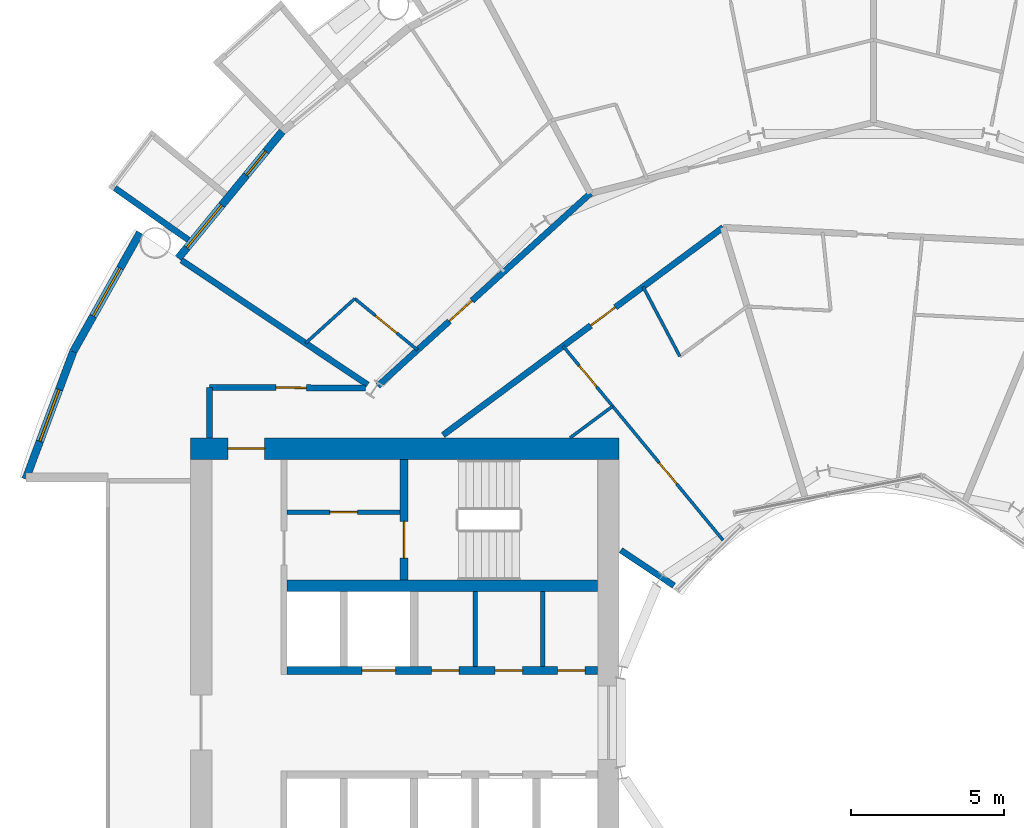
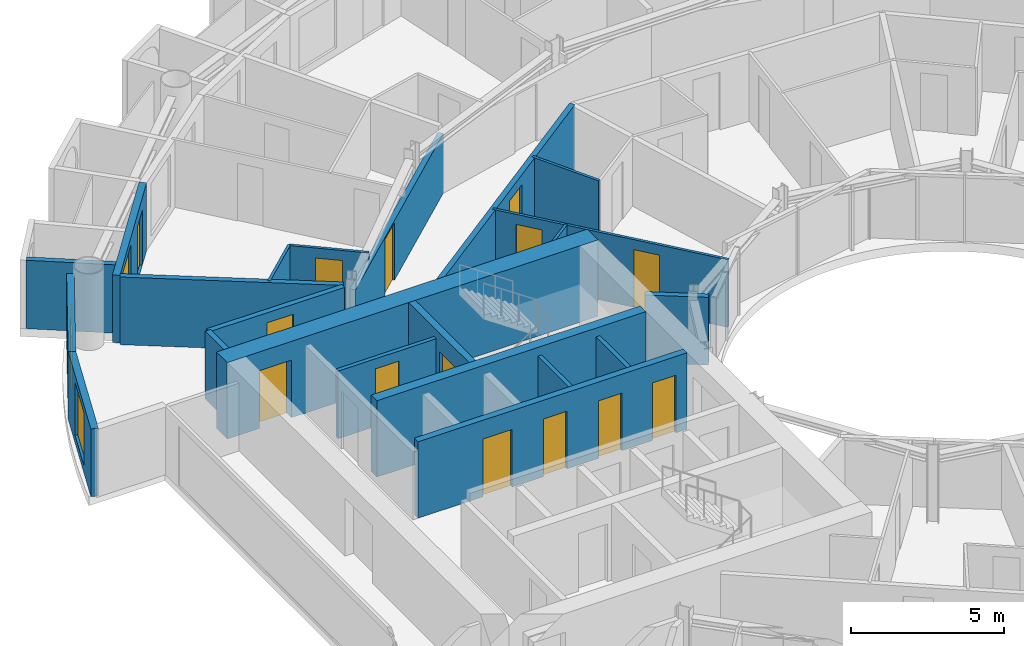
# One storey, part 18 of 26: 22 walls, 14 doors, 3 windows, 17 openings.
"""IFC4 building model written with IfcOpenShell, lengths in metres."""

import ifcopenshell
import ifcopenshell.guid

model = None  # the IFC model being written
_history = None  # IfcOwnerHistory: only IFC2X3 demands one
_inside = {}  # id of a spatial element -> (the spatial element, [elements in it])
_under = {}  # id of a project, library or spatial element -> (it, [spatial elements below it])
_declared = {}  # id of a project -> (the project, [libraries it declares])
_typed = {}  # id of a type object -> (the type object, [elements of that type])
_made_of = {}  # id of a material, layer set ... -> (it, [elements and type objects made of it])


def new_model(schema):
    """Start an empty IFC model of exactly this schema.

    Asked for "IFC4X3", IfcOpenShell would pick the latest addendum, in which some entities
    have other attributes; the version numbers below select the first issue.
    IFC2X3 requires an IfcOwnerHistory on every rooted entity: one is made here for all.
    """
    global model, _history
    if schema == "IFC4X3":
        model = ifcopenshell.file(schema_version=(4, 3, 0, 0))
    else:
        model = ifcopenshell.file(schema=schema)
    _inside.clear()
    _under.clear()
    _declared.clear()
    _typed.clear()
    _made_of.clear()
    _history = None
    if model.schema == "IFC2X3":
        org = make("IfcOrganization", Name="unknown")
        user = make(
            "IfcPersonAndOrganization",
            ThePerson=make("IfcPerson", FamilyName="unknown"),
            TheOrganization=org,
        )
        app = make(
            "IfcApplication",
            ApplicationDeveloper=org,
            Version="unknown",
            ApplicationFullName="unknown",
            ApplicationIdentifier="unknown",
        )
        _history = make(
            "IfcOwnerHistory",
            OwningUser=user,
            OwningApplication=app,
            ChangeAction="ADDED",
            CreationDate=0,
        )
    return model


def make(cls, **values):
    """One entity of the class cls with the attributes given. An attribute that is None is left unset."""
    return model.create_entity(
        cls, **{name: value for name, value in values.items() if value is not None}
    )


def rooted(cls, **values):
    """An entity with a GlobalId (a new one), such as an element, a storey or a relation."""
    return make(cls, GlobalId=ifcopenshell.guid.new(), OwnerHistory=_history, **values)


def si_unit(unit_type, name, prefix=None):
    """IfcSIUnit, for example si_unit("LENGTHUNIT", "METRE", prefix="MILLI")."""
    return make("IfcSIUnit", UnitType=unit_type, Prefix=prefix, Name=name)


def assignment(units):
    """IfcUnitAssignment: the units of a project."""
    return None if units is None else make("IfcUnitAssignment", Units=units)


def point(xyz):
    """IfcCartesianPoint."""
    return None if xyz is None else make("IfcCartesianPoint", Coordinates=xyz)


def direction(xyz):
    """IfcDirection."""
    return None if xyz is None else make("IfcDirection", DirectionRatios=xyz)


def frame(location, z_axis=None, x_axis=None):
    """IfcAxis2Placement3D, a coordinate frame: its origin and axes. An axis left out is left unset."""
    return make(
        "IfcAxis2Placement3D",
        Location=point(location),
        Axis=direction(z_axis),
        RefDirection=direction(x_axis),
    )


def frame_2d(location, x_axis=None):
    """IfcAxis2Placement2D, a coordinate frame in the plane: its origin and x axis."""
    return make(
        "IfcAxis2Placement2D", Location=point(location), RefDirection=direction(x_axis)
    )


def origin():
    """The frame at (0, 0, 0) with its axes left unset."""
    return frame((0.0, 0.0, 0.0))


def place(relative_to, where):
    """IfcLocalPlacement: puts the frame where relative to a parent placement (None: the world)."""
    return make(
        "IfcLocalPlacement", PlacementRelTo=relative_to, RelativePlacement=where
    )


def context(
    kind, dimensions, precision=None, world=None, true_north=None, identifier=None
):
    """IfcGeometricRepresentationContext, for example the 3D "Model" context."""
    return make(
        "IfcGeometricRepresentationContext",
        ContextIdentifier=identifier,
        ContextType=kind,
        CoordinateSpaceDimension=dimensions,
        Precision=precision,
        WorldCoordinateSystem=world,
        TrueNorth=true_north,
    )


def subcontext(parent, identifier, kind, view, scale=None):
    """IfcGeometricRepresentationSubContext, for example "Body" below "Model"."""
    return make(
        "IfcGeometricRepresentationSubContext",
        ContextIdentifier=identifier,
        ContextType=kind,
        ParentContext=parent,
        TargetScale=scale,
        TargetView=view,
    )


def project(units=None, contexts=None):
    """IfcProject with its units and contexts."""
    return rooted(
        "IfcProject",
        Name="project",
        RepresentationContexts=contexts,
        UnitsInContext=assignment(units),
    )


def spatial(cls, under=None, at=None, **own):
    """A site, building, storey or space (cls), placed at a placement, below another one or the project."""
    s = rooted(cls, ObjectPlacement=at, **own)
    if under is not None:
        _under.setdefault(under.id(), (under, []))[1].append(s)
    return s


def profile(cls, at=None, kind="AREA", **sizes):
    """A parametric profile (cls). Its sizes go by their IFC names, for example OverallWidth=200.0."""
    return make(cls, ProfileType=kind, Position=at, **sizes)


def rectangle(**sizes):
    """IfcRectangleProfileDef."""
    return profile("IfcRectangleProfileDef", **sizes)


def extrude(swept, where, along, depth):
    """IfcExtrudedAreaSolid: the profile swept, set in the frame where, extruded along a direction by depth."""
    return make(
        "IfcExtrudedAreaSolid",
        SweptArea=swept,
        Position=where,
        ExtrudedDirection=direction(along),
        Depth=depth,
    )


def shape(context_of_items, identifier, shape_type, items):
    """IfcShapeRepresentation: the items that make up one representation, for example the "Body"."""
    return make(
        "IfcShapeRepresentation",
        ContextOfItems=context_of_items,
        RepresentationIdentifier=identifier,
        RepresentationType=shape_type,
        Items=items,
    )


def material(Name=None, Category=None):
    """IfcMaterial."""
    return make("IfcMaterial", Name=Name, Category=Category)


def layer(
    of_material, thickness, ventilated=None, Name=None, Category=None, Priority=None
):
    """IfcMaterialLayer: one layer of a wall or slab, of a material (None: an air gap)."""
    return make(
        "IfcMaterialLayer",
        Material=of_material,
        LayerThickness=thickness,
        IsVentilated=ventilated,
        Name=Name,
        Category=Category,
        Priority=Priority,
    )


def layer_set(layers, Name=None):
    """IfcMaterialLayerSet."""
    return make("IfcMaterialLayerSet", MaterialLayers=layers, LayerSetName=Name)


def made_of(thing, what):
    """Note that an element or type object is made of a material, layer set ...; save() writes the relation."""
    if what is not None:
        _made_of.setdefault(what.id(), (what, []))[1].append(thing)
    return thing


def type_object(cls, material=None, **own):
    """A type object (cls), such as IfcWallType, which elements share."""
    return made_of(rooted(cls, **own), material)


def element(
    cls,
    number,
    at=None,
    inside=None,
    cuts=None,
    type_object=None,
    material=None,
    context=None,
    identifier="Body",
    shape_type=None,
    held_by="IfcProductDefinitionShape",
    body=None,
    shapes=None,
    **own,
):
    """One element of the class cls, such as IfcWall. Its Tag is "e" and its number.

    at: its placement. inside: the storey or other place that contains it. cuts: it is an
    opening in that element (IfcRelVoidsElement). A single representation is given by context,
    identifier, shape_type and body (its items); several are given by shapes. held_by: the class
    of the entity that holds the representations. save() writes the other relations.
    """
    e = rooted(cls, Tag="e%d" % number, ObjectPlacement=at, **own)
    if body is not None:
        shapes = [shape(context, identifier, shape_type, body)]
    if shapes is not None:
        e.Representation = make(held_by, Representations=shapes)
    if inside is not None:
        _inside.setdefault(inside.id(), (inside, []))[1].append(e)
    if cuts is not None:
        rooted(
            "IfcRelVoidsElement", RelatingBuildingElement=cuts, RelatedOpeningElement=e
        )
    if type_object is not None:
        _typed.setdefault(type_object.id(), (type_object, []))[1].append(e)
    return made_of(e, material)


def fill(opening, filler):
    """IfcRelFillsElement: the door or window that sits in an opening."""
    return rooted(
        "IfcRelFillsElement",
        RelatingOpeningElement=opening,
        RelatedBuildingElement=filler,
    )


def aggregate(whole, parts):
    """IfcRelAggregates: a whole, such as a stair, and the parts it consists of."""
    return rooted("IfcRelAggregates", RelatingObject=whole, RelatedObjects=parts)


def save(model, path):
    """Write the relations noted so far, then the file.

    IfcRelAggregates (storeys below a building ...), IfcRelContainedInSpatialStructure (elements
    in a storey), IfcRelDefinesByType, IfcRelAssociatesMaterial and IfcRelDeclares: one each for
    every whole, place, type object, material and project.
    """
    for whole, parts in _under.values():
        aggregate(whole, parts)
    for where, things in _inside.values():
        rooted(
            "IfcRelContainedInSpatialStructure",
            RelatedElements=things,
            RelatingStructure=where,
        )
    for kind, things in _typed.values():
        rooted("IfcRelDefinesByType", RelatedObjects=things, RelatingType=kind)
    for what, things in _made_of.values():
        rooted("IfcRelAssociatesMaterial", RelatedObjects=things, RelatingMaterial=what)
    for by, libraries in _declared.values():
        rooted("IfcRelDeclares", RelatingContext=by, RelatedDefinitions=libraries)
    model.write(path)


model = new_model("IFC4")

# Units and contexts
model_context = context("Model", 3, precision=1e-05, world=origin(), true_north=direction((0.0, 1.0)))
body_context = subcontext(model_context, "Body", "Model", "MODEL_VIEW")
ifc_project = project(units=[si_unit("LENGTHUNIT", "METRE"), si_unit("AREAUNIT", "SQUARE_METRE"), si_unit("VOLUMEUNIT", "CUBIC_METRE"), si_unit("PLANEANGLEUNIT", "RADIAN"), si_unit("MASSUNIT", "GRAM", prefix="KILO")], contexts=[model_context])

# Site, building, storey
site_placement = place(None, origin())
site = spatial("IfcSite", under=ifc_project, at=site_placement, CompositionType="ELEMENT")
building_placement = place(site_placement, origin())
building = spatial("IfcBuilding", under=site, at=building_placement, Name="Maasbend Ring Residences", CompositionType="ELEMENT")
storey_placement = place(building_placement, frame((0.0, 0.0, 84.949951171875)))
storey = spatial("IfcBuildingStorey", under=building, at=storey_placement, Name="L24", CompositionType="ELEMENT", Elevation=84.949951171875)

# Wall, openings, doors
ifc_material_1 = material(Name="Concrete C70/85", Category="concrete")
ifc_layer_1 = layer(ifc_material_1, 0.25)
ifc_layer_set_1 = layer_set([ifc_layer_1], Name="Concrete C70/85")
wall_type_1 = type_object("IfcWallType", Name="CORE WALL 250 C70/85", PredefinedType="SHEAR", material=ifc_layer_set_1)
wall_1_placement = place(storey_placement, frame((-19.14990234375, 1.699951171875, 0.0), z_axis=(0.0, 0.0, 1.0), x_axis=(1.0, 0.0, 0.0)))
wall_1 = element("IfcWall", 1, at=wall_1_placement, inside=storey, type_object=wall_type_1, Name="L24 core W wall SPS", PredefinedType="SHEAR", context=body_context, shape_type="SweptSolid", body=[
    extrude(rectangle(XDim=10.14990234375, YDim=0.25, at=frame_2d((5.074951171875, 0.0))), origin(), (0.0, 0.0, 1.0), 3.050048828125),
])
opening_1_placement = place(wall_1_placement, frame((2.449951171875, 0.0, 0.0)))
opening_1 = element("IfcOpeningElement", 2, at=opening_1_placement, cuts=wall_1, Name="Opening LD-W2405", PredefinedType="OPENING", context=body_context, shape_type="SweptSolid", body=[
    extrude(rectangle(XDim=1.10009765625, YDim=2.300048828125, at=frame_2d((0.550048828125, 1.14990234375))), frame((0.0, 0.135009765625, 0.0), z_axis=(0.0, -1.0, 0.0), x_axis=(1.0, 0.0, 0.0)), (0.0, 0.0, 1.0), 0.27001953125),
])
opening_2_placement = place(wall_1_placement, frame((8.83740234375, 0.0, 0.0)))
opening_2 = element("IfcOpeningElement", 3, at=opening_2_placement, cuts=wall_1, Name="Opening D-W2406", PredefinedType="OPENING", context=body_context, shape_type="SweptSolid", body=[
    extrude(rectangle(XDim=0.89990234375, YDim=2.300048828125, at=frame_2d((0.449951171875, 1.14990234375))), frame((0.0, 0.135009765625, 0.0), z_axis=(0.0, -1.0, 0.0), x_axis=(1.0, 0.0, 0.0)), (0.0, 0.0, 1.0), 0.27001953125),
])
opening_3_placement = place(wall_1_placement, frame((6.800048828125, 0.0, 0.0)))
opening_3 = element("IfcOpeningElement", 4, at=opening_3_placement, cuts=wall_1, Name="Opening D-W2407", PredefinedType="OPENING", context=body_context, shape_type="SweptSolid", body=[
    extrude(rectangle(XDim=0.89990234375, YDim=2.300048828125, at=frame_2d((0.449951171875, 1.14990234375))), frame((0.0, 0.135009765625, 0.0), z_axis=(0.0, -1.0, 0.0), x_axis=(1.0, 0.0, 0.0)), (0.0, 0.0, 1.0), 0.27001953125),
])
opening_4_placement = place(wall_1_placement, frame((4.72509765625, 0.0, 0.0)))
opening_4 = element("IfcOpeningElement", 5, at=opening_4_placement, cuts=wall_1, Name="Opening D-W2408", PredefinedType="OPENING", context=body_context, shape_type="SweptSolid", body=[
    extrude(rectangle(XDim=0.89990234375, YDim=2.300048828125, at=frame_2d((0.449951171875, 1.14990234375))), frame((0.0, 0.135009765625, 0.0), z_axis=(0.0, -1.0, 0.0), x_axis=(1.0, 0.0, 0.0)), (0.0, 0.0, 1.0), 0.27001953125),
])
ifc_material_2 = material(Name="Stainless steel 316", Category="steel")
door_type_1 = type_object("IfcDoorType", Name="LANDING DOOR 1100 X 2300 FD60", OperationType="DOUBLE_DOOR_SLIDING", PredefinedType="DOOR", material=ifc_material_2)
door_1_placement = place(opening_1_placement, origin())
door_1 = element("IfcDoor", 6, at=door_1_placement, inside=storey, type_object=door_type_1, Name="Landing door SV-W L24", OperationType="DOUBLE_DOOR_SLIDING", OverallHeight=2.300048828125, OverallWidth=1.10009765625, PredefinedType="DOOR", context=body_context, shape_type="SweptSolid", body=[
    extrude(rectangle(XDim=1.10009765625, YDim=2.300048828125, at=frame_2d((0.550048828125, 1.14990234375))), frame((0.0, 0.02490234375, 0.0), z_axis=(0.0, -1.0, 0.0), x_axis=(1.0, 0.0, 0.0)), (0.0, 0.0, 1.0), 0.050048828125),
])
fill(opening_1, door_1)
ifc_material_3 = material(Name="Steel, powder coated", Category="steel")
door_type_2 = type_object("IfcDoorType", Name="ROOM DOOR 900 X 2300 FD30S", OperationType="NOTDEFINED", PredefinedType="DOOR", material=ifc_material_3)
door_2_placement = place(opening_2_placement, origin())
door_2 = element("IfcDoor", 7, at=door_2_placement, inside=storey, type_object=door_type_2, Name="Room door L24", OperationType="SINGLE_SWING_LEFT", OverallHeight=2.300048828125, OverallWidth=0.89990234375, PredefinedType="DOOR", context=body_context, shape_type="SweptSolid", body=[
    extrude(rectangle(XDim=0.89990234375, YDim=2.300048828125, at=frame_2d((0.449951171875, 1.14990234375))), frame((0.0, 0.02490234375, 0.0), z_axis=(0.0, -1.0, 0.0), x_axis=(1.0, 0.0, 0.0)), (0.0, 0.0, 1.0), 0.050048828125),
])
fill(opening_2, door_2)
door_3_placement = place(opening_3_placement, origin())
door_3 = element("IfcDoor", 8, at=door_3_placement, inside=storey, type_object=door_type_2, Name="Room door L24", OperationType="SINGLE_SWING_LEFT", OverallHeight=2.300048828125, OverallWidth=0.89990234375, PredefinedType="DOOR", context=body_context, shape_type="SweptSolid", body=[
    extrude(rectangle(XDim=0.89990234375, YDim=2.300048828125, at=frame_2d((0.449951171875, 1.14990234375))), frame((0.0, 0.02490234375, 0.0), z_axis=(0.0, -1.0, 0.0), x_axis=(1.0, 0.0, 0.0)), (0.0, 0.0, 1.0), 0.050048828125),
])
fill(opening_3, door_3)
door_4_placement = place(opening_4_placement, origin())
door_4 = element("IfcDoor", 9, at=door_4_placement, inside=storey, type_object=door_type_2, Name="Room door L24", OperationType="SINGLE_SWING_LEFT", OverallHeight=2.300048828125, OverallWidth=0.89990234375, PredefinedType="DOOR", context=body_context, shape_type="SweptSolid", body=[
    extrude(rectangle(XDim=0.89990234375, YDim=2.300048828125, at=frame_2d((0.449951171875, 1.14990234375))), frame((0.0, 0.02490234375, 0.0), z_axis=(0.0, -1.0, 0.0), x_axis=(1.0, 0.0, 0.0)), (0.0, 0.0, 1.0), 0.050048828125),
])
fill(opening_4, door_4)

# Wall, opening, door
wall_2_placement = place(storey_placement, frame((-15.324951171875, 8.60009765625, 0.0), z_axis=(0.0, 0.0, 1.0), x_axis=(0.0, -1.0, 0.0)))
wall_2 = element("IfcWall", 10, at=wall_2_placement, inside=storey, type_object=wall_type_1, Name="L24 core W wall STES", PredefinedType="SHEAR", context=body_context, shape_type="SweptSolid", body=[
    extrude(rectangle(XDim=3.9501953125, YDim=0.25, at=frame_2d((1.97509765625, 0.0))), origin(), (0.0, 0.0, 1.0), 3.050048828125),
])
opening_5_placement = place(wall_2_placement, frame((2.02490234375, 0.0, 0.0)))
opening_5 = element("IfcOpeningElement", 11, at=opening_5_placement, cuts=wall_2, Name="Opening D-W2411", PredefinedType="OPENING", context=body_context, shape_type="SweptSolid", body=[
    extrude(rectangle(XDim=1.199951171875, YDim=2.300048828125, at=frame_2d((0.60009765625, 1.14990234375))), frame((0.0, 0.135009765625, 0.0), z_axis=(0.0, -1.0, 0.0), x_axis=(1.0, 0.0, 0.0)), (0.0, 0.0, 1.0), 0.27001953125),
])
ifc_material_4 = material(Name="Steel, powder coated", Category="steel")
door_type_3 = type_object("IfcDoorType", Name="STAIR DOOR 1200 X 2300 FD60", OperationType="NOTDEFINED", PredefinedType="DOOR", material=ifc_material_4)
door_5_placement = place(opening_5_placement, origin())
door_5 = element("IfcDoor", 12, at=door_5_placement, inside=storey, type_object=door_type_3, Name="Stair door ST-W L24", OperationType="SINGLE_SWING_LEFT", OverallHeight=2.300048828125, OverallWidth=1.199951171875, PredefinedType="DOOR", context=body_context, shape_type="SweptSolid", body=[
    extrude(rectangle(XDim=1.199951171875, YDim=2.300048828125, at=frame_2d((0.60009765625, 1.14990234375))), frame((0.0, 0.02490234375, 0.0), z_axis=(0.0, -1.0, 0.0), x_axis=(1.0, 0.0, 0.0)), (0.0, 0.0, 1.0), 0.050048828125),
])
fill(opening_5, door_5)

# Wall
ifc_material_5 = material(Name="Concrete C70/85", Category="concrete")
ifc_layer_2 = layer(ifc_material_5, 0.375)
ifc_layer_set_2 = layer_set([ifc_layer_2], Name="Concrete C70/85")
wall_type_2 = type_object("IfcWallType", Name="CORE WALL 375 C70/85", PredefinedType="SHEAR", material=ifc_layer_set_2)
wall_3_placement = place(storey_placement, frame((-9.0, 4.46240234375, 0.0), z_axis=(0.0, 0.0, 1.0), x_axis=(-1.0, 0.0, 0.0)))
element("IfcWall", 13, at=wall_3_placement, inside=storey, type_object=wall_type_2, Name="L24 core W wall BS", PredefinedType="SHEAR", context=body_context, shape_type="SweptSolid", body=[
    extrude(rectangle(XDim=10.14990234375, YDim=0.375, at=frame_2d((5.074951171875, 0.0))), origin(), (0.0, 0.0, 1.0), 3.050048828125),
])

# Wall, opening, door
ifc_material_6 = material(Name="Concrete C70/85", Category="concrete")
ifc_layer_3 = layer(ifc_material_6, 0.699951171875)
ifc_layer_set_3 = layer_set([ifc_layer_3], Name="Concrete C70/85")
wall_type_3 = type_object("IfcWallType", Name="CORE WALL 700 C70/85", PredefinedType="SHEAR", material=ifc_layer_set_3)
wall_4_placement = place(storey_placement, frame((-8.300048828125, 8.949951171875, 0.0), z_axis=(0.0, 0.0, 1.0), x_axis=(-1.0, 0.0, 0.0)))
wall_4 = element("IfcWall", 14, at=wall_4_placement, inside=storey, type_object=wall_type_3, Name="L24 core W wall PS", PredefinedType="SHEAR", context=body_context, shape_type="SweptSolid", body=[
    extrude(rectangle(XDim=14.0, YDim=0.699951171875, at=frame_2d((7.0, 0.0))), origin(), (0.0, 0.0, 1.0), 3.050048828125),
])
opening_6_placement = place(wall_4_placement, frame((11.574951171875, 0.0, 0.0)))
opening_6 = element("IfcOpeningElement", 15, at=opening_6_placement, cuts=wall_4, Name="Opening D-W2415", PredefinedType="OPENING", context=body_context, shape_type="SweptSolid", body=[
    extrude(rectangle(XDim=1.199951171875, YDim=2.300048828125, at=frame_2d((0.60009765625, 1.14990234375))), frame((0.0, 0.35986328125, 0.0), z_axis=(0.0, -1.0, 0.0), x_axis=(1.0, 0.0, 0.0)), (0.0, 0.0, 1.0), 0.719970703125),
])
ifc_material_7 = material(Name="Steel, powder coated", Category="steel")
door_type_4 = type_object("IfcDoorType", Name="CORRIDOR DOOR 1200 X 2300 FD30S", OperationType="NOTDEFINED", PredefinedType="DOOR", material=ifc_material_7)
door_6_placement = place(opening_6_placement, origin())
door_6 = element("IfcDoor", 16, at=door_6_placement, inside=storey, type_object=door_type_4, Name="Corridor door L24", OperationType="SINGLE_SWING_LEFT", OverallHeight=2.300048828125, OverallWidth=1.199951171875, PredefinedType="DOOR", context=body_context, shape_type="SweptSolid", body=[
    extrude(rectangle(XDim=1.199951171875, YDim=2.300048828125, at=frame_2d((0.60009765625, 1.14990234375))), frame((0.0, 0.02490234375, 0.0), z_axis=(0.0, -1.0, 0.0), x_axis=(1.0, 0.0, 0.0)), (0.0, 0.0, 1.0), 0.050048828125),
])
fill(opening_6, door_6)

ifc_material_8 = material(Name="Concrete C30/37", Category="concrete")
ifc_layer_4 = layer(ifc_material_8, 0.199951171875)
ifc_layer_set_4 = layer_set([ifc_layer_4], Name="Concrete C30/37")
wall_type_4 = type_object("IfcWallType", Name="CORRIDOR WALL 200 CONCRETE", PredefinedType="PARTITIONING", material=ifc_layer_set_4)
wall_5_placement = place(storey_placement, frame((-21.675048828125, 10.949951171875, 0.0), z_axis=(0.0, 0.0, 1.0), x_axis=(0.999988019025, -0.004895079807, 0.0)))
wall_5 = element("IfcWall", 17, at=wall_5_placement, inside=storey, type_object=wall_type_4, Name="U-L24-w084", PredefinedType="PARTITIONING", context=body_context, shape_type="SweptSolid", body=[
    extrude(rectangle(XDim=5.087158203125, YDim=0.199951171875, at=frame_2d((2.54345703125, 0.0))), origin(), (0.0, 0.0, 1.0), 2.699951171875),
])
opening_7_placement = place(wall_5_placement, frame((2.1630859375, 0.0, 0.0)))
opening_7 = element("IfcOpeningElement", 18, at=opening_7_placement, cuts=wall_5, Name="Opening D-2466", PredefinedType="OPENING", context=body_context, shape_type="SweptSolid", body=[
    extrude(rectangle(XDim=1.0, YDim=2.300048828125, at=frame_2d((0.5, 1.14990234375))), frame((0.0, 0.10986328125, 0.0), z_axis=(0.0, -1.0, 0.0), x_axis=(1.0, 0.0, 0.0)), (0.0, 0.0, 1.0), 0.219970703125),
])
ifc_material_9 = material(Name="Timber, painted", Category="wood")
door_type_5 = type_object("IfcDoorType", Name="ROOM DOOR 1000 X 2300", OperationType="NOTDEFINED", PredefinedType="DOOR", material=ifc_material_9)
door_7_placement = place(opening_7_placement, origin())
door_7 = element("IfcDoor", 19, at=door_7_placement, inside=storey, type_object=door_type_5, Name="D-2466", OperationType="SINGLE_SWING_RIGHT", OverallHeight=2.300048828125, OverallWidth=1.0, PredefinedType="DOOR", context=body_context, shape_type="SweptSolid", body=[
    extrude(rectangle(XDim=1.0, YDim=2.300048828125, at=frame_2d((0.5, 1.14990234375))), frame((0.0, 0.02490234375, 0.0), z_axis=(0.0, -1.0, 0.0), x_axis=(1.0, 0.0, 0.0)), (0.0, 0.0, 1.0), 0.050048828125),
])
fill(opening_7, door_7)

wall_6_placement = place(storey_placement, frame((-14.052001953125, 9.388916015625, 0.0), z_axis=(0.0, 0.0, 1.0), x_axis=(0.803204584823, 0.59570327758, 0.0)))
wall_6 = element("IfcWall", 20, at=wall_6_placement, inside=storey, type_object=wall_type_4, Name="U-L24-w092", PredefinedType="PARTITIONING", context=body_context, shape_type="SweptSolid", body=[
    extrude(rectangle(XDim=11.386962890625, YDim=0.199951171875, at=frame_2d((5.693359375, 0.0))), origin(), (0.0, 0.0, 1.0), 2.699951171875),
])
opening_8_placement = place(wall_6_placement, frame((6.007080078125, 0.0, 0.0)))
opening_8 = element("IfcOpeningElement", 21, at=opening_8_placement, cuts=wall_6, Name="Opening D-2429", PredefinedType="OPENING", context=body_context, shape_type="SweptSolid", body=[
    extrude(rectangle(XDim=1.0, YDim=2.300048828125, at=frame_2d((0.5, 1.14990234375))), frame((0.0, 0.10986328125, 0.0), z_axis=(0.0, -1.0, 0.0), x_axis=(1.0, 0.0, 0.0)), (0.0, 0.0, 1.0), 0.219970703125),
])
ifc_material_10 = material(Name="Timber, fire-rated, painted", Category="wood")
door_type_6 = type_object("IfcDoorType", Name="FLAT ENTRANCE DOOR 1000 X 2300 FIRE-RATED", OperationType="NOTDEFINED", PredefinedType="DOOR", material=ifc_material_10)
door_8_placement = place(opening_8_placement, origin())
door_8 = element("IfcDoor", 22, at=door_8_placement, inside=storey, type_object=door_type_6, Name="D-2429", OperationType="SINGLE_SWING_RIGHT", OverallHeight=2.300048828125, OverallWidth=1.0, PredefinedType="DOOR", context=body_context, shape_type="SweptSolid", body=[
    extrude(rectangle(XDim=1.0, YDim=2.300048828125, at=frame_2d((0.5, 1.14990234375))), frame((0.0, 0.02490234375, 0.0), z_axis=(0.0, -1.0, 0.0), x_axis=(1.0, 0.0, 0.0)), (0.0, 0.0, 1.0), 0.050048828125),
])
fill(opening_8, door_8)

wall_7_placement = place(storey_placement, frame((-16.179931640625, 10.9951171875, 0.0), z_axis=(0.0, 0.0, 1.0), x_axis=(0.741086986457, 0.671409024741, 0.0)))
wall_7 = element("IfcWall", 23, at=wall_7_placement, inside=storey, type_object=wall_type_4, Name="U-L24-w095", PredefinedType="PARTITIONING", context=body_context, shape_type="SweptSolid", body=[
    extrude(rectangle(XDim=9.372802734375, YDim=0.199951171875, at=frame_2d((4.6865234375, 0.0))), origin(), (0.0, 0.0, 1.0), 2.380126953125),
])
opening_9_placement = place(wall_7_placement, frame((3.152099609375, 0.0, 0.0)))
opening_9 = element("IfcOpeningElement", 24, at=opening_9_placement, cuts=wall_7, Name="Opening D-2416", PredefinedType="OPENING", context=body_context, shape_type="SweptSolid", body=[
    extrude(rectangle(XDim=1.0, YDim=2.300048828125, at=frame_2d((0.5, 1.14990234375))), frame((0.0, 0.10986328125, 0.0), z_axis=(0.0, -1.0, 0.0), x_axis=(1.0, 0.0, 0.0)), (0.0, 0.0, 1.0), 0.219970703125),
])
door_9_placement = place(opening_9_placement, origin())
door_9 = element("IfcDoor", 25, at=door_9_placement, inside=storey, type_object=door_type_6, Name="D-2416", OperationType="SINGLE_SWING_LEFT", OverallHeight=2.300048828125, OverallWidth=1.0, PredefinedType="DOOR", context=body_context, shape_type="SweptSolid", body=[
    extrude(rectangle(XDim=1.0, YDim=2.300048828125, at=frame_2d((0.5, 1.14990234375))), frame((0.0, 0.02490234375, 0.0), z_axis=(0.0, -1.0, 0.0), x_axis=(1.0, 0.0, 0.0)), (0.0, 0.0, 1.0), 0.050048828125),
])
fill(opening_9, door_9)

# Walls
wall_8_placement = place(storey_placement, frame((-21.675048828125, 9.300048828125, 0.0), z_axis=(0.0, 0.0, 1.0), x_axis=(0.0, 1.0, 0.0)))
element("IfcWall", 26, at=wall_8_placement, inside=storey, type_object=wall_type_4, Name="U-L24-w108", PredefinedType="PARTITIONING", context=body_context, shape_type="SweptSolid", body=[
    extrude(rectangle(XDim=1.64990234375, YDim=0.199951171875, at=frame_2d((0.824951171875, 0.0))), origin(), (0.0, 0.0, 1.0), 2.699951171875),
])
ifc_material_11 = material(Name="Pale anodised aluminium panel", Category="aluminium")
ifc_layer_5 = layer(ifc_material_11, 0.199951171875)
ifc_layer_set_5 = layer_set([ifc_layer_5], Name="EW-BOX")
wall_type_5 = type_object("IfcWallType", Name="EW-BOX", PredefinedType="SOLIDWALL", material=ifc_layer_set_5)
wall_9_placement = place(storey_placement, frame((-22.3701171875, 15.764892578125, -0.030029296875), z_axis=(0.0, 0.0, 1.0), x_axis=(-0.817256123454, 0.576274612209, 0.0)))
element("IfcWall", 27, at=wall_9_placement, inside=storey, type_object=wall_type_5, Name="Box side wall N20 right", PredefinedType="SOLIDWALL", context=body_context, shape_type="SweptSolid", body=[
    extrude(rectangle(XDim=2.932861328125, YDim=0.199951171875, at=frame_2d((1.46630859375, 0.0))), origin(), (0.0, 0.0, 1.0), 2.72998046875),
])

# Wall, openings, door, window
ifc_material_12 = material(Name="Aluminium clad insulated panel", Category="aluminium")
ifc_layer_6 = layer(ifc_material_12, 0.25)
ifc_layer_set_6 = layer_set([ifc_layer_6], Name="EW-GL")
wall_type_6 = type_object("IfcWallType", Name="EW-GL", PredefinedType="SOLIDWALL", material=ifc_layer_set_6)
wall_10_placement = place(storey_placement, frame((-19.303955078125, 19.303955078125, 0.0), z_axis=(0.0, 0.0, 1.0), x_axis=(-0.634382322723, -0.773019449054, 0.0)))
wall_10 = element("IfcWall", 28, at=wall_10_placement, inside=storey, type_object=wall_type_6, Name="External wall N10", PredefinedType="SOLIDWALL", context=body_context, shape_type="SweptSolid", body=[
    extrude(rectangle(XDim=5.351806640625, YDim=0.25, at=frame_2d((2.67578125, 0.0))), origin(), (0.0, 0.0, 1.0), 2.699951171875),
])
opening_10_placement = place(wall_10_placement, frame((0.841064453125, 0.0, 0.0)))
opening_10 = element("IfcOpeningElement", 29, at=opening_10_placement, cuts=wall_10, Name="Opening D-LG", PredefinedType="OPENING", context=body_context, shape_type="SweptSolid", body=[
    extrude(rectangle(XDim=1.0, YDim=2.199951171875, at=frame_2d((0.5, 1.10009765625))), frame((0.0, 0.135009765625, 0.0), z_axis=(0.0, -1.0, 0.0), x_axis=(1.0, 0.0, 0.0)), (0.0, 0.0, 1.0), 0.27001953125),
])
opening_11_placement = place(wall_10_placement, frame((3.110595703125, 0.0, 0.300048828125)))
opening_11 = element("IfcOpeningElement", 30, at=opening_11_placement, cuts=wall_10, Name="Opening W-BX", PredefinedType="OPENING", context=body_context, shape_type="SweptSolid", body=[
    extrude(rectangle(XDim=1.800048828125, YDim=2.10009765625, at=frame_2d((0.89990234375, 1.050048828125))), frame((0.0, 0.135009765625, 0.0), z_axis=(0.0, -1.0, 0.0), x_axis=(1.0, 0.0, 0.0)), (0.0, 0.0, 1.0), 0.27001953125),
])
ifc_material_13 = material(Name="Aluminium and clear glass", Category="aluminium")
door_type_7 = type_object("IfcDoorType", Name="D-LG", OperationType="SINGLE_SWING_LEFT", PredefinedType="DOOR", material=ifc_material_13)
door_10_placement = place(opening_10_placement, origin())
door_10 = element("IfcDoor", 31, at=door_10_placement, inside=storey, type_object=door_type_7, Name="Loggia door N19", OperationType="SINGLE_SWING_LEFT", OverallHeight=2.199951171875, OverallWidth=1.0, PredefinedType="DOOR", context=body_context, shape_type="SweptSolid", body=[
    extrude(rectangle(XDim=1.0, YDim=2.199951171875, at=frame_2d((0.5, 1.10009765625))), frame((0.0, 0.02490234375, 0.0), z_axis=(0.0, -1.0, 0.0), x_axis=(1.0, 0.0, 0.0)), (0.0, 0.0, 1.0), 0.050048828125),
])
fill(opening_10, door_10)
ifc_material_14 = material(Name="Aluminium and clear glass", Category="aluminium")
window_type = type_object("IfcWindowType", Name="W-BX", PartitioningType="DOUBLE_PANEL_VERTICAL", PredefinedType="WINDOW", material=ifc_material_14)
window_1_placement = place(opening_11_placement, origin())
window_1 = element("IfcWindow", 32, at=window_1_placement, inside=storey, type_object=window_type, Name="Window N20 room to box", OverallHeight=2.10009765625, OverallWidth=1.800048828125, PartitioningType="SINGLE_PANEL", PredefinedType="WINDOW", context=body_context, shape_type="SweptSolid", body=[
    extrude(rectangle(XDim=1.800048828125, YDim=2.10009765625, at=frame_2d((0.89990234375, 1.050048828125))), frame((0.0, 0.030029296875, 0.0), z_axis=(0.0, -1.0, 0.0), x_axis=(1.0, 0.0, 0.0)), (0.0, 0.0, 1.0), 0.06005859375),
])
fill(opening_11, window_1)

# Wall, opening, window
ifc_material_15 = material(Name="Aluminium clad insulated panel", Category="aluminium")
ifc_layer_7 = layer(ifc_material_15, 0.25)
ifc_layer_set_7 = layer_set([ifc_layer_7], Name="EW-HORN")
wall_type_7 = type_object("IfcWallType", Name="EW-HORN", PredefinedType="SOLIDWALL", material=ifc_layer_set_7)
wall_11_placement = place(storey_placement, frame((-23.946044921875, 16.0, 0.0), z_axis=(0.0, 0.0, 1.0), x_axis=(-0.489696356642, -0.871893042919, 0.0)))
wall_11 = element("IfcWall", 33, at=wall_11_placement, inside=storey, type_object=wall_type_7, Name="Horn wall 4.1", PredefinedType="SOLIDWALL", context=body_context, shape_type="SweptSolid", body=[
    extrude(rectangle(XDim=4.45361328125, YDim=0.25, at=frame_2d((2.226806640625, 0.0))), origin(), (0.0, 0.0, 1.0), 2.699951171875),
])
opening_12_placement = place(wall_11_placement, frame((1.32666015625, 0.0, 0.300048828125)))
opening_12 = element("IfcOpeningElement", 34, at=opening_12_placement, cuts=wall_11, Name="Opening W-BX", PredefinedType="OPENING", context=body_context, shape_type="SweptSolid", body=[
    extrude(rectangle(XDim=1.800048828125, YDim=2.10009765625, at=frame_2d((0.89990234375, 1.050048828125))), frame((0.0, 0.135009765625, 0.0), z_axis=(0.0, -1.0, 0.0), x_axis=(1.0, 0.0, 0.0)), (0.0, 0.0, 1.0), 0.27001953125),
])
window_2_placement = place(opening_12_placement, origin())
window_2 = element("IfcWindow", 35, at=window_2_placement, inside=storey, type_object=window_type, Name="Horn window 4.1", OverallHeight=2.10009765625, OverallWidth=1.800048828125, PartitioningType="SINGLE_PANEL", PredefinedType="WINDOW", context=body_context, shape_type="SweptSolid", body=[
    extrude(rectangle(XDim=1.800048828125, YDim=2.10009765625, at=frame_2d((0.89990234375, 1.050048828125))), frame((0.0, 0.030029296875, 0.0), z_axis=(0.0, -1.0, 0.0), x_axis=(1.0, 0.0, 0.0)), (0.0, 0.0, 1.0), 0.06005859375),
])
fill(opening_12, window_2)

wall_12_placement = place(storey_placement, frame((-26.126953125, 12.116943359375, 0.0), z_axis=(0.0, 0.0, 1.0), x_axis=(-0.349247811493, -0.937030397675, 0.0)))
wall_12 = element("IfcWall", 36, at=wall_12_placement, inside=storey, type_object=wall_type_7, Name="Horn wall 4.2", PredefinedType="SOLIDWALL", context=body_context, shape_type="SweptSolid", body=[
    extrude(rectangle(XDim=4.4521484375, YDim=0.25, at=frame_2d((2.22607421875, 0.0))), origin(), (0.0, 0.0, 1.0), 2.699951171875),
])
opening_13_placement = place(wall_12_placement, frame((1.32666015625, 0.0, 0.300048828125)))
opening_13 = element("IfcOpeningElement", 37, at=opening_13_placement, cuts=wall_12, Name="Opening W-BX", PredefinedType="OPENING", context=body_context, shape_type="SweptSolid", body=[
    extrude(rectangle(XDim=1.800048828125, YDim=2.10009765625, at=frame_2d((0.89990234375, 1.050048828125))), frame((0.0, 0.135009765625, 0.0), z_axis=(0.0, -1.0, 0.0), x_axis=(1.0, 0.0, 0.0)), (0.0, 0.0, 1.0), 0.27001953125),
])
window_3_placement = place(opening_13_placement, origin())
window_3 = element("IfcWindow", 38, at=window_3_placement, inside=storey, type_object=window_type, Name="Horn window 4.2", OverallHeight=2.10009765625, OverallWidth=1.800048828125, PartitioningType="SINGLE_PANEL", PredefinedType="WINDOW", context=body_context, shape_type="SweptSolid", body=[
    extrude(rectangle(XDim=1.800048828125, YDim=2.10009765625, at=frame_2d((0.89990234375, 1.050048828125))), frame((0.0, 0.030029296875, 0.0), z_axis=(0.0, -1.0, 0.0), x_axis=(1.0, 0.0, 0.0)), (0.0, 0.0, 1.0), 0.06005859375),
])
fill(opening_13, window_3)

# Wall, opening, door
ifc_material_16 = material(Name="Gypsum board on steel studs", Category="steel")
ifc_layer_8 = layer(ifc_material_16, 0.10009765625)
ifc_layer_set_8 = layer_set([ifc_layer_8], Name="PARTITION 100 GYPSUM")
wall_type_8 = type_object("IfcWallType", Name="PARTITION 100 GYPSUM", PredefinedType="PARTITIONING", material=ifc_layer_set_8)
wall_13_placement = place(storey_placement, frame((-16.93603515625, 13.844970703125, 0.0), z_axis=(0.0, 0.0, 1.0), x_axis=(0.774162545943, -0.632986850147, 0.0)))
wall_13 = element("IfcWall", 39, at=wall_13_placement, inside=storey, type_object=wall_type_8, Name="U-L24-w033", PredefinedType="PARTITIONING", context=body_context, shape_type="SweptSolid", body=[
    extrude(rectangle(XDim=2.6494140625, YDim=0.10009765625, at=frame_2d((1.32470703125, 0.0))), origin(), (0.0, 0.0, 1.0), 2.699951171875),
])
opening_14_placement = place(wall_13_placement, frame((0.875, 0.0, 0.0)))
opening_14 = element("IfcOpeningElement", 40, at=opening_14_placement, cuts=wall_13, Name="Opening D-2417", PredefinedType="OPENING", context=body_context, shape_type="SweptSolid", body=[
    extrude(rectangle(XDim=0.89990234375, YDim=2.300048828125, at=frame_2d((0.449951171875, 1.14990234375))), frame((0.0, 0.06005859375, 0.0), z_axis=(0.0, -1.0, 0.0), x_axis=(1.0, 0.0, 0.0)), (0.0, 0.0, 1.0), 0.1201171875),
])
ifc_material_17 = material(Name="Timber, painted", Category="wood")
door_type_8 = type_object("IfcDoorType", Name="INTERNAL DOOR 900 X 2300", OperationType="NOTDEFINED", PredefinedType="DOOR", material=ifc_material_17)
door_11_placement = place(opening_14_placement, origin())
door_11 = element("IfcDoor", 41, at=door_11_placement, inside=storey, type_object=door_type_8, Name="D-2417", OperationType="SINGLE_SWING_LEFT", OverallHeight=2.300048828125, OverallWidth=0.89990234375, PredefinedType="DOOR", context=body_context, shape_type="SweptSolid", body=[
    extrude(rectangle(XDim=0.89990234375, YDim=2.300048828125, at=frame_2d((0.449951171875, 1.14990234375))), frame((0.0, 0.02490234375, 0.0), z_axis=(0.0, -1.0, 0.0), x_axis=(1.0, 0.0, 0.0)), (0.0, 0.0, 1.0), 0.050048828125),
])
fill(opening_14, door_11)

# Wall, openings, doors
wall_14_placement = place(storey_placement, frame((-10.132080078125, 12.2958984375, 0.0), z_axis=(0.0, 0.0, 1.0), x_axis=(0.635976043025, -0.771708800454, 0.0)))
wall_14 = element("IfcWall", 42, at=wall_14_placement, inside=storey, type_object=wall_type_8, Name="U-L24-w040", PredefinedType="PARTITIONING", context=body_context, shape_type="SweptSolid", body=[
    extrude(rectangle(XDim=8.212890625, YDim=0.10009765625, at=frame_2d((4.1064453125, 0.0))), origin(), (0.0, 0.0, 1.0), 2.699951171875),
])
opening_15_placement = place(wall_14_placement, frame((0.822998046875, 0.0, 0.0)))
opening_15 = element("IfcOpeningElement", 43, at=opening_15_placement, cuts=wall_14, Name="Opening D-2431", PredefinedType="OPENING", context=body_context, shape_type="SweptSolid", body=[
    extrude(rectangle(XDim=0.89990234375, YDim=2.300048828125, at=frame_2d((0.449951171875, 1.14990234375))), frame((0.0, 0.06005859375, 0.0), z_axis=(0.0, -1.0, 0.0), x_axis=(1.0, 0.0, 0.0)), (0.0, 0.0, 1.0), 0.1201171875),
])
opening_16_placement = place(wall_14_placement, frame((4.928955078125, 0.0, 0.0)))
opening_16 = element("IfcOpeningElement", 44, at=opening_16_placement, cuts=wall_14, Name="Opening D-2432", PredefinedType="OPENING", context=body_context, shape_type="SweptSolid", body=[
    extrude(rectangle(XDim=0.89990234375, YDim=2.300048828125, at=frame_2d((0.449951171875, 1.14990234375))), frame((0.0, 0.06005859375, 0.0), z_axis=(0.0, -1.0, 0.0), x_axis=(1.0, 0.0, 0.0)), (0.0, 0.0, 1.0), 0.1201171875),
])
door_12_placement = place(opening_15_placement, origin())
door_12 = element("IfcDoor", 45, at=door_12_placement, inside=storey, type_object=door_type_8, Name="D-2431", OperationType="SINGLE_SWING_LEFT", OverallHeight=2.300048828125, OverallWidth=0.89990234375, PredefinedType="DOOR", context=body_context, shape_type="SweptSolid", body=[
    extrude(rectangle(XDim=0.89990234375, YDim=2.300048828125, at=frame_2d((0.449951171875, 1.14990234375))), frame((0.0, 0.02490234375, 0.0), z_axis=(0.0, -1.0, 0.0), x_axis=(1.0, 0.0, 0.0)), (0.0, 0.0, 1.0), 0.050048828125),
])
fill(opening_15, door_12)
door_13_placement = place(opening_16_placement, origin())
door_13 = element("IfcDoor", 46, at=door_13_placement, inside=storey, type_object=door_type_8, Name="D-2432", OperationType="SINGLE_SWING_RIGHT", OverallHeight=2.300048828125, OverallWidth=0.89990234375, PredefinedType="DOOR", context=body_context, shape_type="SweptSolid", body=[
    extrude(rectangle(XDim=0.89990234375, YDim=2.300048828125, at=frame_2d((0.449951171875, 1.14990234375))), frame((0.0, 0.02490234375, 0.0), z_axis=(0.0, -1.0, 0.0), x_axis=(1.0, 0.0, 0.0)), (0.0, 0.0, 1.0), 0.050048828125),
])
fill(opening_16, door_13)

# Walls
wall_15_placement = place(storey_placement, frame((-7.51904296875, 14.23388671875, 0.0), z_axis=(0.0, 0.0, 1.0), x_axis=(0.467001992543, -0.884256263173, 0.0)))
element("IfcWall", 47, at=wall_15_placement, inside=storey, type_object=wall_type_8, Name="U-L24-w044", PredefinedType="PARTITIONING", context=body_context, shape_type="SweptSolid", body=[
    extrude(rectangle(XDim=2.571533203125, YDim=0.10009765625, at=frame_2d((1.28564453125, 0.0))), origin(), (0.0, 0.0, 1.0), 2.699951171875),
])
wall_16_placement = place(storey_placement, frame((-9.903076171875, 9.300048828125, 0.0), z_axis=(0.0, 0.0, 1.0), x_axis=(0.803135014325, 0.595797070121, 0.0)))
element("IfcWall", 48, at=wall_16_placement, inside=storey, type_object=wall_type_8, Name="U-L24-w086", PredefinedType="PARTITIONING", context=body_context, shape_type="SweptSolid", body=[
    extrude(rectangle(XDim=1.732177734375, YDim=0.10009765625, at=frame_2d((0.8662109375, 0.0))), origin(), (0.0, 0.0, 1.0), 2.699951171875),
])
wall_17_placement = place(storey_placement, frame((-18.5400390625, 12.39208984375, 0.0), z_axis=(0.0, 0.0, 1.0), x_axis=(0.741319612235, 0.671152167929, 0.0)))
element("IfcWall", 49, at=wall_17_placement, inside=storey, type_object=wall_type_8, Name="U-L24-w099", PredefinedType="PARTITIONING", context=body_context, shape_type="SweptSolid", body=[
    extrude(rectangle(XDim=2.167724609375, YDim=0.10009765625, at=frame_2d((1.083984375, 0.0))), origin(), (0.0, 0.0, 1.0), 2.699951171875),
])
ifc_material_18 = material(Name="Gypsum board on steel studs", Category="steel")
ifc_layer_9 = layer(ifc_material_18, 0.14990234375)
ifc_layer_set_9 = layer_set([ifc_layer_9], Name="PARTITION 150 EI 60")
wall_type_9 = type_object("IfcWallType", Name="PARTITION 150 EI 60", PredefinedType="PARTITIONING", material=ifc_layer_set_9)
for number, where, z_axis, x_axis, name in (
    (50, (-10.800048828125, 1.824951171875, 0.0), (0.0, 0.0, 1.0), (0.0, 1.0, 0.0), "L24 core W wall PRS1080"),
    (51, (-13.0, 1.824951171875, 0.0), (0.0, 0.0, 1.0), (0.0, 1.0, 0.0), "L24 core W wall PRS1300"),
):
    element("IfcWall", number, at=place(storey_placement, frame(where, z_axis=z_axis, x_axis=x_axis)), inside=storey, type_object=wall_type_9, Name=name, PredefinedType="PARTITIONING", context=body_context, shape_type="SweptSolid", body=[
        extrude(rectangle(XDim=2.449951171875, YDim=0.14990234375, at=frame_2d((1.22509765625, 0.0))), origin(), (0.0, 0.0, 1.0), 2.699951171875),
    ])

# Wall, opening, door
wall_18_placement = place(storey_placement, frame((-15.449951171875, 6.875, 0.0), z_axis=(0.0, 0.0, 1.0), x_axis=(-1.0, 0.0, 0.0)))
wall_18 = element("IfcWall", 52, at=wall_18_placement, inside=storey, type_object=wall_type_9, Name="L24 core W wall RHS", PredefinedType="PARTITIONING", context=body_context, shape_type="SweptSolid", body=[
    extrude(rectangle(XDim=3.699951171875, YDim=0.14990234375, at=frame_2d((1.85009765625, 0.0))), origin(), (0.0, 0.0, 1.0), 2.699951171875),
])
opening_17_placement = place(wall_18_placement, frame((1.39990234375, 0.0, 0.0)))
opening_17 = element("IfcOpeningElement", 53, at=opening_17_placement, cuts=wall_18, Name="Opening D-W2409", PredefinedType="OPENING", context=body_context, shape_type="SweptSolid", body=[
    extrude(rectangle(XDim=0.89990234375, YDim=2.300048828125, at=frame_2d((0.449951171875, 1.14990234375))), frame((0.0, 0.0849609375, 0.0), z_axis=(0.0, -1.0, 0.0), x_axis=(1.0, 0.0, 0.0)), (0.0, 0.0, 1.0), 0.169921875),
])
ifc_material_19 = material(Name="Steel, powder coated", Category="steel")
door_type_9 = type_object("IfcDoorType", Name="RISER DOOR 900 X 2300 FD60", OperationType="NOTDEFINED", PredefinedType="DOOR", material=ifc_material_19)
door_14_placement = place(opening_17_placement, origin())
door_14 = element("IfcDoor", 54, at=door_14_placement, inside=storey, type_object=door_type_9, Name="Riser door L24", OperationType="SINGLE_SWING_LEFT", OverallHeight=2.300048828125, OverallWidth=0.89990234375, PredefinedType="DOOR", context=body_context, shape_type="SweptSolid", body=[
    extrude(rectangle(XDim=0.89990234375, YDim=2.300048828125, at=frame_2d((0.449951171875, 1.14990234375))), frame((0.0, 0.02490234375, 0.0), z_axis=(0.0, -1.0, 0.0), x_axis=(1.0, 0.0, 0.0)), (0.0, 0.0, 1.0), 0.050048828125),
])
fill(opening_17, door_14)

# Walls
ifc_material_20 = material(Name="Concrete C30/37", Category="concrete")
ifc_layer_10 = layer(ifc_material_20, 0.199951171875)
ifc_layer_set_10 = layer_set([ifc_layer_10], Name="Concrete C30/37")
wall_type_10 = type_object("IfcWallType", Name="PARTY WALL 200 CONCRETE", PredefinedType="PARTITIONING", material=ifc_layer_set_10)
wall_19_placement = place(storey_placement, frame((-22.594970703125, 15.097900390625, 0.0), z_axis=(0.0, 0.0, 1.0), x_axis=(0.831382022135, -0.555701298605, 0.0)))
element("IfcWall", 55, at=wall_19_placement, inside=storey, type_object=wall_type_10, Name="U-L24-w029", PredefinedType="PARTITIONING", context=body_context, shape_type="SweptSolid", body=[
    extrude(rectangle(XDim=7.313232421875, YDim=0.199951171875, at=frame_2d((3.65673828125, 0.0))), origin(), (0.0, 0.0, 1.0), 2.699951171875),
])
wall_20_placement = place(storey_placement, frame((-6.512939453125, 4.471923828125, 0.0), z_axis=(0.0, 0.0, 1.0), x_axis=(-0.831382204863, 0.555701025225, 0.0)))
element("IfcWall", 56, at=wall_20_placement, inside=storey, type_object=wall_type_10, Name="U-L24-w082", PredefinedType="PARTITIONING", context=body_context, shape_type="SweptSolid", body=[
    extrude(rectangle(XDim=2.08203125, YDim=0.199951171875, at=frame_2d((1.041015625, 0.0))), origin(), (0.0, 0.0, 1.0), 2.699951171875),
])

save(model, "model.ifc")
